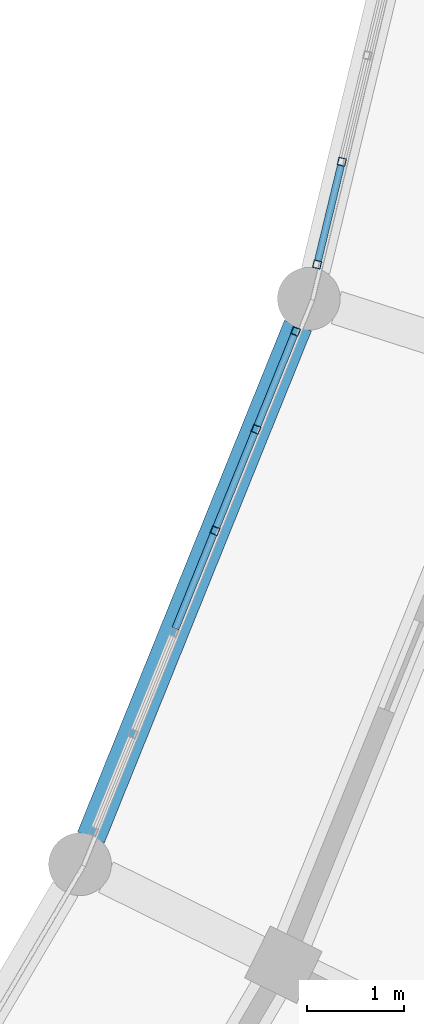
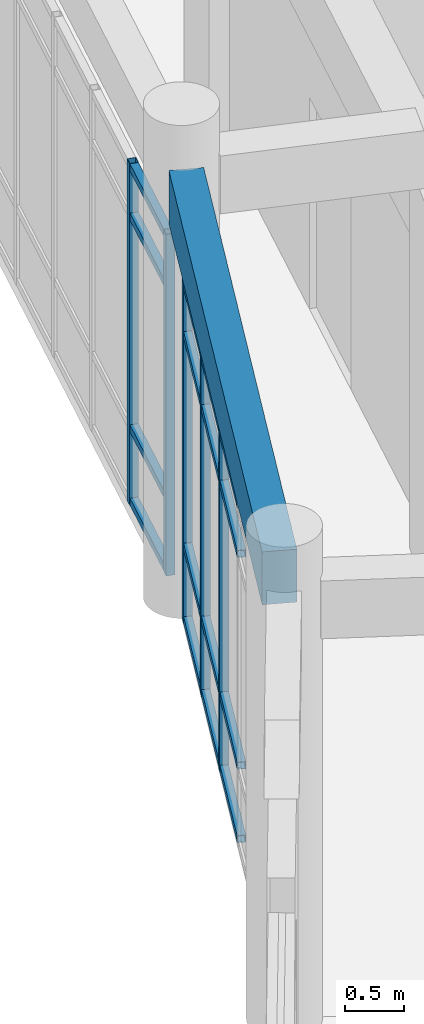
# One storey, part 47 of 159: 21 members, 1 beam, 2 elements without a shape of their own.
"""IFC4 building model written with IfcOpenShell, lengths in metres."""

import ifcopenshell
import ifcopenshell.guid

model = None  # the IFC model being written
_history = None  # IfcOwnerHistory: only IFC2X3 demands one
_inside = {}  # id of a spatial element -> (the spatial element, [elements in it])
_under = {}  # id of a project, library or spatial element -> (it, [spatial elements below it])
_declared = {}  # id of a project -> (the project, [libraries it declares])
_typed = {}  # id of a type object -> (the type object, [elements of that type])
_made_of = {}  # id of a material, layer set ... -> (it, [elements and type objects made of it])


def new_model(schema):
    """Start an empty IFC model of exactly this schema.

    Asked for "IFC4X3", IfcOpenShell would pick the latest addendum, in which some entities
    have other attributes; the version numbers below select the first issue.
    IFC2X3 requires an IfcOwnerHistory on every rooted entity: one is made here for all.
    """
    global model, _history
    if schema == "IFC4X3":
        model = ifcopenshell.file(schema_version=(4, 3, 0, 0))
    else:
        model = ifcopenshell.file(schema=schema)
    _inside.clear()
    _under.clear()
    _declared.clear()
    _typed.clear()
    _made_of.clear()
    _history = None
    if model.schema == "IFC2X3":
        org = make("IfcOrganization", Name="unknown")
        user = make(
            "IfcPersonAndOrganization",
            ThePerson=make("IfcPerson", FamilyName="unknown"),
            TheOrganization=org,
        )
        app = make(
            "IfcApplication",
            ApplicationDeveloper=org,
            Version="unknown",
            ApplicationFullName="unknown",
            ApplicationIdentifier="unknown",
        )
        _history = make(
            "IfcOwnerHistory",
            OwningUser=user,
            OwningApplication=app,
            ChangeAction="ADDED",
            CreationDate=0,
        )
    return model


def make(cls, **values):
    """One entity of the class cls with the attributes given. An attribute that is None is left unset."""
    return model.create_entity(
        cls, **{name: value for name, value in values.items() if value is not None}
    )


def rooted(cls, **values):
    """An entity with a GlobalId (a new one), such as an element, a storey or a relation."""
    return make(cls, GlobalId=ifcopenshell.guid.new(), OwnerHistory=_history, **values)


def si_unit(unit_type, name, prefix=None):
    """IfcSIUnit, for example si_unit("LENGTHUNIT", "METRE", prefix="MILLI")."""
    return make("IfcSIUnit", UnitType=unit_type, Prefix=prefix, Name=name)


def assignment(units):
    """IfcUnitAssignment: the units of a project."""
    return None if units is None else make("IfcUnitAssignment", Units=units)


def point(xyz):
    """IfcCartesianPoint."""
    return None if xyz is None else make("IfcCartesianPoint", Coordinates=xyz)


def direction(xyz):
    """IfcDirection."""
    return None if xyz is None else make("IfcDirection", DirectionRatios=xyz)


def frame(location, z_axis=None, x_axis=None):
    """IfcAxis2Placement3D, a coordinate frame: its origin and axes. An axis left out is left unset."""
    return make(
        "IfcAxis2Placement3D",
        Location=point(location),
        Axis=direction(z_axis),
        RefDirection=direction(x_axis),
    )


def frame_2d(location, x_axis=None):
    """IfcAxis2Placement2D, a coordinate frame in the plane: its origin and x axis."""
    return make(
        "IfcAxis2Placement2D", Location=point(location), RefDirection=direction(x_axis)
    )


def origin():
    """The frame at (0, 0, 0) with its axes left unset."""
    return frame((0.0, 0.0, 0.0))


def origin_2d():
    """The frame at (0, 0) in the plane with its x axis left unset."""
    return frame_2d((0.0, 0.0))


def place(relative_to, where):
    """IfcLocalPlacement: puts the frame where relative to a parent placement (None: the world)."""
    return make(
        "IfcLocalPlacement", PlacementRelTo=relative_to, RelativePlacement=where
    )


def context(
    kind, dimensions, precision=None, world=None, true_north=None, identifier=None
):
    """IfcGeometricRepresentationContext, for example the 3D "Model" context."""
    return make(
        "IfcGeometricRepresentationContext",
        ContextIdentifier=identifier,
        ContextType=kind,
        CoordinateSpaceDimension=dimensions,
        Precision=precision,
        WorldCoordinateSystem=world,
        TrueNorth=true_north,
    )


def subcontext(parent, identifier, kind, view, scale=None):
    """IfcGeometricRepresentationSubContext, for example "Body" below "Model"."""
    return make(
        "IfcGeometricRepresentationSubContext",
        ContextIdentifier=identifier,
        ContextType=kind,
        ParentContext=parent,
        TargetScale=scale,
        TargetView=view,
    )


def project(units=None, contexts=None):
    """IfcProject with its units and contexts."""
    return rooted(
        "IfcProject",
        Name="project",
        RepresentationContexts=contexts,
        UnitsInContext=assignment(units),
    )


def spatial(cls, under=None, at=None, **own):
    """A site, building, storey or space (cls), placed at a placement, below another one or the project."""
    s = rooted(cls, ObjectPlacement=at, **own)
    if under is not None:
        _under.setdefault(under.id(), (under, []))[1].append(s)
    return s


def profile(cls, at=None, kind="AREA", **sizes):
    """A parametric profile (cls). Its sizes go by their IFC names, for example OverallWidth=200.0."""
    return make(cls, ProfileType=kind, Position=at, **sizes)


def rectangle(**sizes):
    """IfcRectangleProfileDef."""
    return profile("IfcRectangleProfileDef", **sizes)


def hollow_rectangle(**sizes):
    """IfcRectangleHollowProfileDef."""
    return profile("IfcRectangleHollowProfileDef", **sizes)


def extrude(swept, where, along, depth):
    """IfcExtrudedAreaSolid: the profile swept, set in the frame where, extruded along a direction by depth."""
    return make(
        "IfcExtrudedAreaSolid",
        SweptArea=swept,
        Position=where,
        ExtrudedDirection=direction(along),
        Depth=depth,
    )


def shape(context_of_items, identifier, shape_type, items):
    """IfcShapeRepresentation: the items that make up one representation, for example the "Body"."""
    return make(
        "IfcShapeRepresentation",
        ContextOfItems=context_of_items,
        RepresentationIdentifier=identifier,
        RepresentationType=shape_type,
        Items=items,
    )


def material(Name=None, Category=None):
    """IfcMaterial."""
    return make("IfcMaterial", Name=Name, Category=Category)


def material_profile(
    of_material, cross_section, Name=None, Category=None, Priority=None
):
    """IfcMaterialProfile: a cross section and its material."""
    return make(
        "IfcMaterialProfile",
        Name=Name,
        Material=of_material,
        Profile=cross_section,
        Priority=Priority,
        Category=Category,
    )


def profile_set(profiles, Name=None, composite=None):
    """IfcMaterialProfileSet."""
    return make(
        "IfcMaterialProfileSet",
        Name=Name,
        MaterialProfiles=profiles,
        CompositeProfile=composite,
    )


def made_of(thing, what):
    """Note that an element or type object is made of a material, layer set ...; save() writes the relation."""
    if what is not None:
        _made_of.setdefault(what.id(), (what, []))[1].append(thing)
    return thing


def type_object(cls, material=None, **own):
    """A type object (cls), such as IfcWallType, which elements share."""
    return made_of(rooted(cls, **own), material)


def element(
    cls,
    number,
    at=None,
    inside=None,
    cuts=None,
    type_object=None,
    material=None,
    context=None,
    identifier="Body",
    shape_type=None,
    held_by="IfcProductDefinitionShape",
    body=None,
    shapes=None,
    **own,
):
    """One element of the class cls, such as IfcWall. Its Tag is "e" and its number.

    at: its placement. inside: the storey or other place that contains it. cuts: it is an
    opening in that element (IfcRelVoidsElement). A single representation is given by context,
    identifier, shape_type and body (its items); several are given by shapes. held_by: the class
    of the entity that holds the representations. save() writes the other relations.
    """
    e = rooted(cls, Tag="e%d" % number, ObjectPlacement=at, **own)
    if body is not None:
        shapes = [shape(context, identifier, shape_type, body)]
    if shapes is not None:
        e.Representation = make(held_by, Representations=shapes)
    if inside is not None:
        _inside.setdefault(inside.id(), (inside, []))[1].append(e)
    if cuts is not None:
        rooted(
            "IfcRelVoidsElement", RelatingBuildingElement=cuts, RelatedOpeningElement=e
        )
    if type_object is not None:
        _typed.setdefault(type_object.id(), (type_object, []))[1].append(e)
    return made_of(e, material)


def aggregate(whole, parts):
    """IfcRelAggregates: a whole, such as a stair, and the parts it consists of."""
    return rooted("IfcRelAggregates", RelatingObject=whole, RelatedObjects=parts)


def save(model, path):
    """Write the relations noted so far, then the file.

    IfcRelAggregates (storeys below a building ...), IfcRelContainedInSpatialStructure (elements
    in a storey), IfcRelDefinesByType, IfcRelAssociatesMaterial and IfcRelDeclares: one each for
    every whole, place, type object, material and project.
    """
    for whole, parts in _under.values():
        aggregate(whole, parts)
    for where, things in _inside.values():
        rooted(
            "IfcRelContainedInSpatialStructure",
            RelatedElements=things,
            RelatingStructure=where,
        )
    for kind, things in _typed.values():
        rooted("IfcRelDefinesByType", RelatedObjects=things, RelatingType=kind)
    for what, things in _made_of.values():
        rooted("IfcRelAssociatesMaterial", RelatedObjects=things, RelatingMaterial=what)
    for by, libraries in _declared.values():
        rooted("IfcRelDeclares", RelatingContext=by, RelatedDefinitions=libraries)
    model.write(path)


model = new_model("IFC4")

# Units and contexts
model_context = context("Model", 3, precision=1e-05, world=origin(), true_north=direction((0.0, 1.0)))
body_context = subcontext(model_context, "Body", "Model", "MODEL_VIEW")
ifc_project = project(units=[si_unit("LENGTHUNIT", "METRE"), si_unit("AREAUNIT", "SQUARE_METRE"), si_unit("VOLUMEUNIT", "CUBIC_METRE"), si_unit("PLANEANGLEUNIT", "RADIAN"), si_unit("MASSUNIT", "GRAM", prefix="KILO")], contexts=[model_context])

# Site, building, storey
site_placement = place(None, origin())
site = spatial("IfcSite", under=ifc_project, at=site_placement, CompositionType="ELEMENT")
building_placement = place(site_placement, origin())
building = spatial("IfcBuilding", under=site, at=building_placement, Name="Celadon Cloister-Ring School", CompositionType="ELEMENT")
storey_placement = place(building_placement, frame((0.0, 0.0, 4.5)))
storey = spatial("IfcBuildingStorey", under=building, at=storey_placement, Name="L01", CompositionType="ELEMENT", Elevation=4.5)

# Curtain wall, members
ifc_material_1 = material(Name="Aluminium EN AW-6063 T6", Category="aluminium")
curtain_wall_type = type_object("IfcCurtainWallType", Name="CW-01", PredefinedType="USERDEFINED", material=ifc_material_1)
curtain_wall_1_placement = place(storey_placement, origin())
curtain_wall_1 = element("IfcCurtainWall", 1, at=curtain_wall_1_placement, inside=storey, type_object=curtain_wall_type, Name="Curtain Wall 0037", ObjectType="CURTAIN WALL", PredefinedType="USERDEFINED")
ifc_material_2 = material(Name="Aluminium EN AW-6063 T6", Category="aluminium")
ifc_material_profile_1 = material_profile(ifc_material_2, hollow_rectangle(XDim=0.080078125, YDim=0.080078125, WallThickness=0.00390625, at=origin_2d()), Name="RHS80X80X4")
ifc_profile_set_1 = profile_set([ifc_material_profile_1], Name="Aluminium EN AW-6063 T6")
member_type_1 = type_object("IfcMemberType", Name="CM-03", PredefinedType="MULLION", material=ifc_profile_set_1)
member_1_placement = place(storey_placement, frame((126.6396484375, 43.570068359375, 0.0), z_axis=(0.0, 0.0, 1.0), x_axis=(-0.927009611847, 0.375037570843, 0.0)))
member_1 = element("IfcMember", 2, at=member_1_placement, type_object=member_type_1, Name="CW-01 mullion 4", PredefinedType="MULLION", context=body_context, shape_type="SweptSolid", body=[
    extrude(hollow_rectangle(XDim=0.080078125, YDim=0.080078125, WallThickness=0.00390625, at=origin_2d()), origin(), (0.0, 0.0, 1.0), 3.550048828125),
])
member_2_placement = place(storey_placement, frame((127.064697265625, 44.62109375, 0.0), z_axis=(0.0, 0.0, 1.0), x_axis=(-0.927009611847, 0.375037570843, 0.0)))
member_2 = element("IfcMember", 3, at=member_2_placement, type_object=member_type_1, Name="CW-01 mullion 5", PredefinedType="MULLION", context=body_context, shape_type="SweptSolid", body=[
    extrude(hollow_rectangle(XDim=0.080078125, YDim=0.080078125, WallThickness=0.00390625, at=origin_2d()), origin(), (0.0, 0.0, 1.0), 3.550048828125),
])
member_3_placement = place(storey_placement, frame((127.47509765625, 45.635009765625, 0.0), z_axis=(0.0, 0.0, 1.0), x_axis=(-0.927009611847, 0.375037570843, 0.0)))
member_3 = element("IfcMember", 4, at=member_3_placement, type_object=member_type_1, Name="CW-01 mullion 6", PredefinedType="MULLION", context=body_context, shape_type="SweptSolid", body=[
    extrude(hollow_rectangle(XDim=0.080078125, YDim=0.080078125, WallThickness=0.00390625, at=origin_2d()), origin(), (0.0, 0.0, 1.0), 3.550048828125),
])

curtain_wall_2_placement = place(storey_placement, origin())
curtain_wall_2 = element("IfcCurtainWall", 5, at=curtain_wall_2_placement, inside=storey, type_object=curtain_wall_type, Name="Curtain Wall 0038", ObjectType="CURTAIN WALL", PredefinedType="USERDEFINED")
member_4_placement = place(storey_placement, frame((127.697265625, 46.327880859375, 0.0), z_axis=(0.0, 0.0, 1.0), x_axis=(-0.972212485146, 0.234100157469, 0.0)))
member_4 = element("IfcMember", 6, at=member_4_placement, type_object=member_type_1, Name="CW-01 mullion 1", PredefinedType="MULLION", context=body_context, shape_type="SweptSolid", body=[
    extrude(hollow_rectangle(XDim=0.080078125, YDim=0.080078125, WallThickness=0.00390625, at=origin_2d()), origin(), (0.0, 0.0, 1.0), 3.550048828125),
])
member_5_placement = place(storey_placement, frame((127.953369140625, 47.39111328125, 0.0), z_axis=(0.0, 0.0, 1.0), x_axis=(-0.972212485146, 0.234100157469, 0.0)))
member_5 = element("IfcMember", 7, at=member_5_placement, type_object=member_type_1, Name="CW-01 mullion 2", PredefinedType="MULLION", context=body_context, shape_type="SweptSolid", body=[
    extrude(hollow_rectangle(XDim=0.080078125, YDim=0.080078125, WallThickness=0.00390625, at=origin_2d()), origin(), (0.0, 0.0, 1.0), 3.550048828125),
])

# Member
ifc_material_3 = material(Name="Aluminium EN AW-6063 T6", Category="aluminium")
ifc_material_profile_2 = material_profile(ifc_material_3, hollow_rectangle(XDim=0.074951171875, YDim=0.074951171875, WallThickness=0.00390625, at=origin_2d()), Name="RHS75X75X4")
ifc_profile_set_2 = profile_set([ifc_material_profile_2], Name="Aluminium EN AW-6063 T6")
member_type_2 = type_object("IfcMemberType", Name="CTM-03", PredefinedType="USERDEFINED", material=ifc_profile_set_2)
member_6_placement = place(storey_placement, frame((126.2294921875, 42.55615234375, 0.03759765625), z_axis=(0.374903584116, 0.927063807198, 0.0), x_axis=(-0.927063807198, 0.374903584116, 0.0)))
member_6 = element("IfcMember", 8, at=member_6_placement, type_object=member_type_2, Name="CW-01 transom 3.1", ObjectType="TRANSOM", PredefinedType="USERDEFINED", context=body_context, shape_type="SweptSolid", body=[
    extrude(hollow_rectangle(XDim=0.074951171875, YDim=0.074951171875, WallThickness=0.00390625, at=origin_2d()), origin(), (0.0, 0.0, 1.0), 1.0537109375),
])

member_7_placement = place(storey_placement, frame((126.2294921875, 42.55615234375, 0.800048828125), z_axis=(0.374903584116, 0.927063807198, 0.0), x_axis=(-0.927063807198, 0.374903584116, 0.0)))
member_7 = element("IfcMember", 9, at=member_7_placement, type_object=member_type_2, Name="CW-01 transom 3.2", ObjectType="TRANSOM", PredefinedType="USERDEFINED", context=body_context, shape_type="SweptSolid", body=[
    extrude(hollow_rectangle(XDim=0.074951171875, YDim=0.074951171875, WallThickness=0.00390625, at=origin_2d()), origin(), (0.0, 0.0, 1.0), 1.0537109375),
])

member_8_placement = place(storey_placement, frame((126.2294921875, 42.55615234375, 3.0), z_axis=(0.374903584116, 0.927063807198, 0.0), x_axis=(-0.927063807198, 0.374903584116, 0.0)))
member_8 = element("IfcMember", 10, at=member_8_placement, type_object=member_type_2, Name="CW-01 transom 3.3", ObjectType="TRANSOM", PredefinedType="USERDEFINED", context=body_context, shape_type="SweptSolid", body=[
    extrude(hollow_rectangle(XDim=0.074951171875, YDim=0.074951171875, WallThickness=0.00390625, at=origin_2d()), origin(), (0.0, 0.0, 1.0), 1.0537109375),
])

member_9_placement = place(storey_placement, frame((126.2294921875, 42.55615234375, 3.512451171875), z_axis=(0.374903584116, 0.927063807198, 0.0), x_axis=(-0.927063807198, 0.374903584116, 0.0)))
member_9 = element("IfcMember", 11, at=member_9_placement, type_object=member_type_2, Name="CW-01 transom 3.4", ObjectType="TRANSOM", PredefinedType="USERDEFINED", context=body_context, shape_type="SweptSolid", body=[
    extrude(hollow_rectangle(XDim=0.074951171875, YDim=0.074951171875, WallThickness=0.00390625, at=origin_2d()), origin(), (0.0, 0.0, 1.0), 1.0537109375),
])

member_10_placement = place(storey_placement, frame((126.654541015625, 43.607177734375, 0.03759765625), z_axis=(0.375102699003, 0.926983260475, 0.0), x_axis=(-0.926983260475, 0.375102699003, 0.0)))
member_10 = element("IfcMember", 12, at=member_10_placement, type_object=member_type_2, Name="CW-01 transom 4.1", ObjectType="TRANSOM", PredefinedType="USERDEFINED", context=body_context, shape_type="SweptSolid", body=[
    extrude(hollow_rectangle(XDim=0.074951171875, YDim=0.074951171875, WallThickness=0.00390625, at=origin_2d()), origin(), (0.0, 0.0, 1.0), 1.0537109375),
])

member_11_placement = place(storey_placement, frame((126.654541015625, 43.607177734375, 0.800048828125), z_axis=(0.375102699003, 0.926983260475, 0.0), x_axis=(-0.926983260475, 0.375102699003, 0.0)))
member_11 = element("IfcMember", 13, at=member_11_placement, type_object=member_type_2, Name="CW-01 transom 4.2", ObjectType="TRANSOM", PredefinedType="USERDEFINED", context=body_context, shape_type="SweptSolid", body=[
    extrude(hollow_rectangle(XDim=0.074951171875, YDim=0.074951171875, WallThickness=0.00390625, at=origin_2d()), origin(), (0.0, 0.0, 1.0), 1.0537109375),
])

member_12_placement = place(storey_placement, frame((126.654541015625, 43.607177734375, 3.0), z_axis=(0.375102699003, 0.926983260475, 0.0), x_axis=(-0.926983260475, 0.375102699003, 0.0)))
member_12 = element("IfcMember", 14, at=member_12_placement, type_object=member_type_2, Name="CW-01 transom 4.3", ObjectType="TRANSOM", PredefinedType="USERDEFINED", context=body_context, shape_type="SweptSolid", body=[
    extrude(hollow_rectangle(XDim=0.074951171875, YDim=0.074951171875, WallThickness=0.00390625, at=origin_2d()), origin(), (0.0, 0.0, 1.0), 1.0537109375),
])

member_13_placement = place(storey_placement, frame((126.654541015625, 43.607177734375, 3.512451171875), z_axis=(0.375102699003, 0.926983260475, 0.0), x_axis=(-0.926983260475, 0.375102699003, 0.0)))
member_13 = element("IfcMember", 15, at=member_13_placement, type_object=member_type_2, Name="CW-01 transom 4.4", ObjectType="TRANSOM", PredefinedType="USERDEFINED", context=body_context, shape_type="SweptSolid", body=[
    extrude(hollow_rectangle(XDim=0.074951171875, YDim=0.074951171875, WallThickness=0.00390625, at=origin_2d()), origin(), (0.0, 0.0, 1.0), 1.0537109375),
])

member_14_placement = place(storey_placement, frame((127.079833984375, 44.657958984375, 0.03759765625), z_axis=(0.374916877298, 0.927058431339, 0.0), x_axis=(-0.927058431339, 0.374916877298, 0.0)))
member_14 = element("IfcMember", 16, at=member_14_placement, type_object=member_type_2, Name="CW-01 transom 5.1", ObjectType="TRANSOM", PredefinedType="USERDEFINED", context=body_context, shape_type="SweptSolid", body=[
    extrude(hollow_rectangle(XDim=0.074951171875, YDim=0.074951171875, WallThickness=0.00390625, at=origin_2d()), origin(), (0.0, 0.0, 1.0), 1.013916015625),
])

member_15_placement = place(storey_placement, frame((127.079833984375, 44.657958984375, 0.800048828125), z_axis=(0.374916877298, 0.927058431339, 0.0), x_axis=(-0.927058431339, 0.374916877298, 0.0)))
member_15 = element("IfcMember", 17, at=member_15_placement, type_object=member_type_2, Name="CW-01 transom 5.2", ObjectType="TRANSOM", PredefinedType="USERDEFINED", context=body_context, shape_type="SweptSolid", body=[
    extrude(hollow_rectangle(XDim=0.074951171875, YDim=0.074951171875, WallThickness=0.00390625, at=origin_2d()), origin(), (0.0, 0.0, 1.0), 1.013916015625),
])

member_16_placement = place(storey_placement, frame((127.079833984375, 44.657958984375, 3.0), z_axis=(0.374916877298, 0.927058431339, 0.0), x_axis=(-0.927058431339, 0.374916877298, 0.0)))
member_16 = element("IfcMember", 18, at=member_16_placement, type_object=member_type_2, Name="CW-01 transom 5.3", ObjectType="TRANSOM", PredefinedType="USERDEFINED", context=body_context, shape_type="SweptSolid", body=[
    extrude(hollow_rectangle(XDim=0.074951171875, YDim=0.074951171875, WallThickness=0.00390625, at=origin_2d()), origin(), (0.0, 0.0, 1.0), 1.013916015625),
])

member_17_placement = place(storey_placement, frame((127.079833984375, 44.657958984375, 3.512451171875), z_axis=(0.374916877298, 0.927058431339, 0.0), x_axis=(-0.927058431339, 0.374916877298, 0.0)))
member_17 = element("IfcMember", 19, at=member_17_placement, type_object=member_type_2, Name="CW-01 transom 5.4", ObjectType="TRANSOM", PredefinedType="USERDEFINED", context=body_context, shape_type="SweptSolid", body=[
    extrude(hollow_rectangle(XDim=0.074951171875, YDim=0.074951171875, WallThickness=0.00390625, at=origin_2d()), origin(), (0.0, 0.0, 1.0), 1.013916015625),
])

aggregate(curtain_wall_1, [member_1, member_2, member_3, member_6, member_7, member_8, member_9, member_10, member_11, member_12, member_13, member_14, member_15, member_16, member_17])

member_18_placement = place(storey_placement, frame((127.706787109375, 46.36669921875, 0.03759765625), z_axis=(0.234083346543, 0.972216532914, 0.0), x_axis=(-0.972216532914, 0.234083346543, 0.0)))
member_18 = element("IfcMember", 20, at=member_18_placement, type_object=member_type_2, Name="CW-01 transom 1.1", ObjectType="TRANSOM", PredefinedType="USERDEFINED", context=body_context, shape_type="SweptSolid", body=[
    extrude(hollow_rectangle(XDim=0.074951171875, YDim=0.074951171875, WallThickness=0.00390625, at=origin_2d()), origin(), (0.0, 0.0, 1.0), 1.013671875),
])

member_19_placement = place(storey_placement, frame((127.706787109375, 46.36669921875, 0.800048828125), z_axis=(0.234083346543, 0.972216532914, 0.0), x_axis=(-0.972216532914, 0.234083346543, 0.0)))
member_19 = element("IfcMember", 21, at=member_19_placement, type_object=member_type_2, Name="CW-01 transom 1.2", ObjectType="TRANSOM", PredefinedType="USERDEFINED", context=body_context, shape_type="SweptSolid", body=[
    extrude(hollow_rectangle(XDim=0.074951171875, YDim=0.074951171875, WallThickness=0.00390625, at=origin_2d()), origin(), (0.0, 0.0, 1.0), 1.013671875),
])

member_20_placement = place(storey_placement, frame((127.706787109375, 46.36669921875, 3.0), z_axis=(0.234083346543, 0.972216532914, 0.0), x_axis=(-0.972216532914, 0.234083346543, 0.0)))
member_20 = element("IfcMember", 22, at=member_20_placement, type_object=member_type_2, Name="CW-01 transom 1.3", ObjectType="TRANSOM", PredefinedType="USERDEFINED", context=body_context, shape_type="SweptSolid", body=[
    extrude(hollow_rectangle(XDim=0.074951171875, YDim=0.074951171875, WallThickness=0.00390625, at=origin_2d()), origin(), (0.0, 0.0, 1.0), 1.013671875),
])

member_21_placement = place(storey_placement, frame((127.706787109375, 46.36669921875, 3.512451171875), z_axis=(0.234083346543, 0.972216532914, 0.0), x_axis=(-0.972216532914, 0.234083346543, 0.0)))
member_21 = element("IfcMember", 23, at=member_21_placement, type_object=member_type_2, Name="CW-01 transom 1.4", ObjectType="TRANSOM", PredefinedType="USERDEFINED", context=body_context, shape_type="SweptSolid", body=[
    extrude(hollow_rectangle(XDim=0.074951171875, YDim=0.074951171875, WallThickness=0.00390625, at=origin_2d()), origin(), (0.0, 0.0, 1.0), 1.013671875),
])

aggregate(curtain_wall_2, [member_4, member_5, member_18, member_19, member_20, member_21])

# Beam
ifc_material_4 = material(Name="Concrete C35/45", Category="concrete")
ifc_material_profile_3 = material_profile(ifc_material_4, rectangle(XDim=0.300048828125, YDim=0.550048828125, at=origin_2d()), Name="RC300X550")
ifc_profile_set_3 = profile_set([ifc_material_profile_3], Name="Concrete C35/45")
beam_type = type_object("IfcBeamType", Name="SP-02", PredefinedType="SPANDREL", material=ifc_profile_set_3)
beam_placement = place(storey_placement, frame((125.35498046875, 40.39404296875, 4.375), z_axis=(0.374950797553, 0.927044712738, 0.0), x_axis=(-0.927044712738, 0.374950797553, 0.0)))
element("IfcBeam", 24, at=beam_placement, inside=storey, type_object=beam_type, Name="Beam 0361", PredefinedType="SPANDREL", context=body_context, shape_type="SweptSolid", body=[
    extrude(rectangle(XDim=0.300048828125, YDim=0.550048828125, at=origin_2d()), origin(), (0.0, 0.0, 1.0), 5.71826171875),
])

save(model, "model.ifc")
